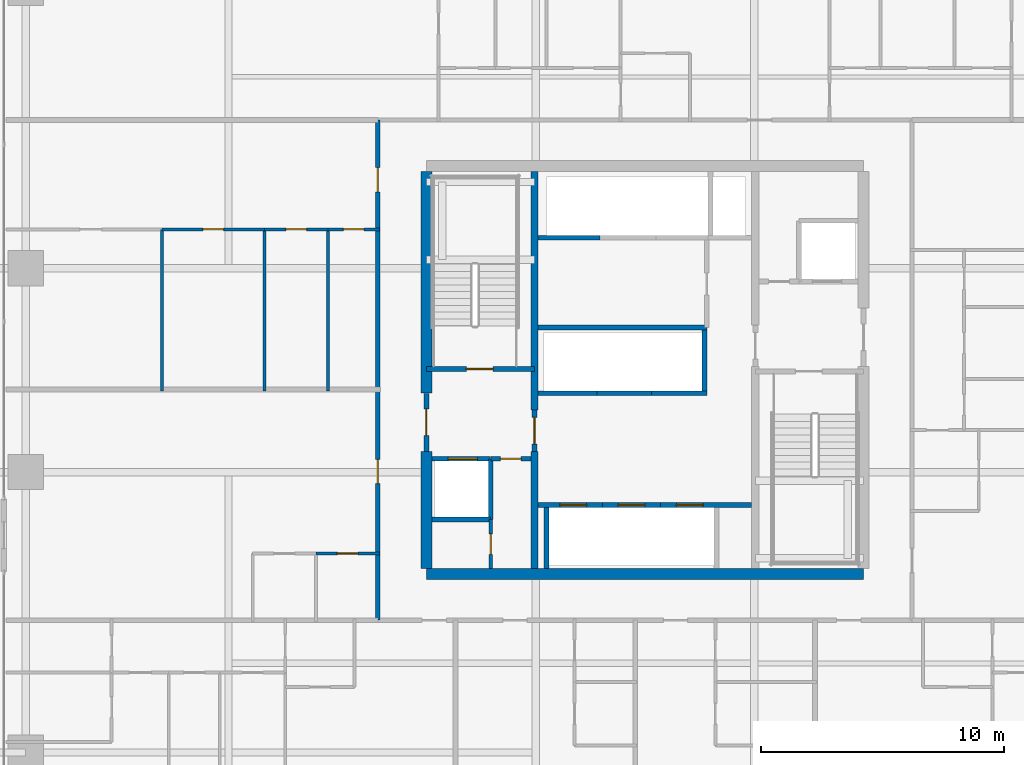
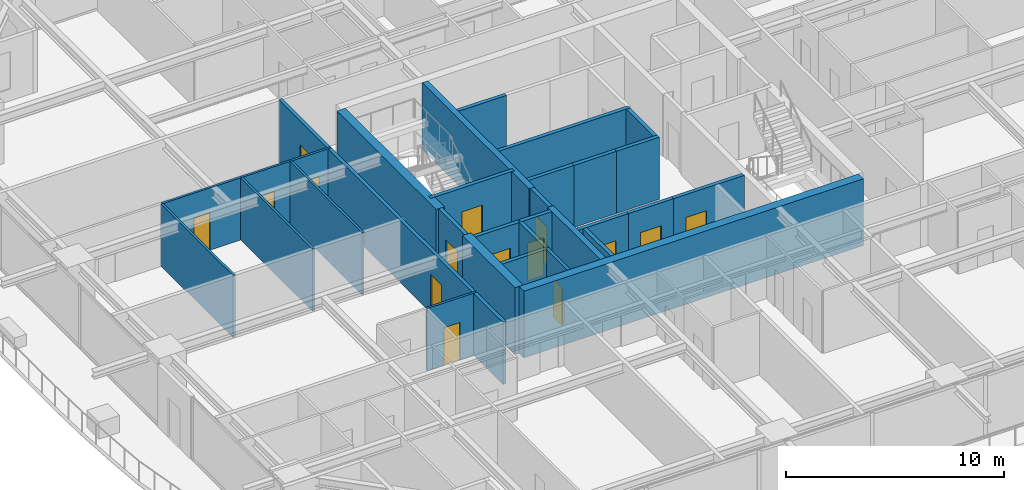
# One storey, part 24 of 36: 31 walls, 15 doors, 15 openings.
"""IFC4 building model written with IfcOpenShell, lengths in metres."""

import ifcopenshell
import ifcopenshell.guid

model = None  # the IFC model being written
_history = None  # IfcOwnerHistory: only IFC2X3 demands one
_inside = {}  # id of a spatial element -> (the spatial element, [elements in it])
_under = {}  # id of a project, library or spatial element -> (it, [spatial elements below it])
_declared = {}  # id of a project -> (the project, [libraries it declares])
_typed = {}  # id of a type object -> (the type object, [elements of that type])
_made_of = {}  # id of a material, layer set ... -> (it, [elements and type objects made of it])


def new_model(schema):
    """Start an empty IFC model of exactly this schema.

    Asked for "IFC4X3", IfcOpenShell would pick the latest addendum, in which some entities
    have other attributes; the version numbers below select the first issue.
    IFC2X3 requires an IfcOwnerHistory on every rooted entity: one is made here for all.
    """
    global model, _history
    if schema == "IFC4X3":
        model = ifcopenshell.file(schema_version=(4, 3, 0, 0))
    else:
        model = ifcopenshell.file(schema=schema)
    _inside.clear()
    _under.clear()
    _declared.clear()
    _typed.clear()
    _made_of.clear()
    _history = None
    if model.schema == "IFC2X3":
        org = make("IfcOrganization", Name="unknown")
        user = make(
            "IfcPersonAndOrganization",
            ThePerson=make("IfcPerson", FamilyName="unknown"),
            TheOrganization=org,
        )
        app = make(
            "IfcApplication",
            ApplicationDeveloper=org,
            Version="unknown",
            ApplicationFullName="unknown",
            ApplicationIdentifier="unknown",
        )
        _history = make(
            "IfcOwnerHistory",
            OwningUser=user,
            OwningApplication=app,
            ChangeAction="ADDED",
            CreationDate=0,
        )
    return model


def make(cls, **values):
    """One entity of the class cls with the attributes given. An attribute that is None is left unset."""
    return model.create_entity(
        cls, **{name: value for name, value in values.items() if value is not None}
    )


def rooted(cls, **values):
    """An entity with a GlobalId (a new one), such as an element, a storey or a relation."""
    return make(cls, GlobalId=ifcopenshell.guid.new(), OwnerHistory=_history, **values)


def si_unit(unit_type, name, prefix=None):
    """IfcSIUnit, for example si_unit("LENGTHUNIT", "METRE", prefix="MILLI")."""
    return make("IfcSIUnit", UnitType=unit_type, Prefix=prefix, Name=name)


def assignment(units):
    """IfcUnitAssignment: the units of a project."""
    return None if units is None else make("IfcUnitAssignment", Units=units)


def point(xyz):
    """IfcCartesianPoint."""
    return None if xyz is None else make("IfcCartesianPoint", Coordinates=xyz)


def direction(xyz):
    """IfcDirection."""
    return None if xyz is None else make("IfcDirection", DirectionRatios=xyz)


def frame(location, z_axis=None, x_axis=None):
    """IfcAxis2Placement3D, a coordinate frame: its origin and axes. An axis left out is left unset."""
    return make(
        "IfcAxis2Placement3D",
        Location=point(location),
        Axis=direction(z_axis),
        RefDirection=direction(x_axis),
    )


def frame_2d(location, x_axis=None):
    """IfcAxis2Placement2D, a coordinate frame in the plane: its origin and x axis."""
    return make(
        "IfcAxis2Placement2D", Location=point(location), RefDirection=direction(x_axis)
    )


def origin():
    """The frame at (0, 0, 0) with its axes left unset."""
    return frame((0.0, 0.0, 0.0))


def place(relative_to, where):
    """IfcLocalPlacement: puts the frame where relative to a parent placement (None: the world)."""
    return make(
        "IfcLocalPlacement", PlacementRelTo=relative_to, RelativePlacement=where
    )


def context(
    kind, dimensions, precision=None, world=None, true_north=None, identifier=None
):
    """IfcGeometricRepresentationContext, for example the 3D "Model" context."""
    return make(
        "IfcGeometricRepresentationContext",
        ContextIdentifier=identifier,
        ContextType=kind,
        CoordinateSpaceDimension=dimensions,
        Precision=precision,
        WorldCoordinateSystem=world,
        TrueNorth=true_north,
    )


def subcontext(parent, identifier, kind, view, scale=None):
    """IfcGeometricRepresentationSubContext, for example "Body" below "Model"."""
    return make(
        "IfcGeometricRepresentationSubContext",
        ContextIdentifier=identifier,
        ContextType=kind,
        ParentContext=parent,
        TargetScale=scale,
        TargetView=view,
    )


def project(units=None, contexts=None):
    """IfcProject with its units and contexts."""
    return rooted(
        "IfcProject",
        Name="project",
        RepresentationContexts=contexts,
        UnitsInContext=assignment(units),
    )


def spatial(cls, under=None, at=None, **own):
    """A site, building, storey or space (cls), placed at a placement, below another one or the project."""
    s = rooted(cls, ObjectPlacement=at, **own)
    if under is not None:
        _under.setdefault(under.id(), (under, []))[1].append(s)
    return s


def profile(cls, at=None, kind="AREA", **sizes):
    """A parametric profile (cls). Its sizes go by their IFC names, for example OverallWidth=200.0."""
    return make(cls, ProfileType=kind, Position=at, **sizes)


def rectangle(**sizes):
    """IfcRectangleProfileDef."""
    return profile("IfcRectangleProfileDef", **sizes)


def extrude(swept, where, along, depth):
    """IfcExtrudedAreaSolid: the profile swept, set in the frame where, extruded along a direction by depth."""
    return make(
        "IfcExtrudedAreaSolid",
        SweptArea=swept,
        Position=where,
        ExtrudedDirection=direction(along),
        Depth=depth,
    )


def shape(context_of_items, identifier, shape_type, items):
    """IfcShapeRepresentation: the items that make up one representation, for example the "Body"."""
    return make(
        "IfcShapeRepresentation",
        ContextOfItems=context_of_items,
        RepresentationIdentifier=identifier,
        RepresentationType=shape_type,
        Items=items,
    )


def source(mapping_origin, context_of_items, identifier, shape_type, items):
    """IfcRepresentationMap: a shape defined once, which mapped items show again and again."""
    return make(
        "IfcRepresentationMap",
        MappingOrigin=mapping_origin,
        MappedRepresentation=shape(context_of_items, identifier, shape_type, items),
    )


def transform(
    local_origin,
    x_axis=None,
    y_axis=None,
    z_axis=None,
    scale=None,
    scale2=None,
    scale3=None,
    uniform=True,
):
    """IfcCartesianTransformationOperator3D, or its non-uniform kind. x_axis, y_axis, z_axis: its Axis1, 2, 3."""
    if uniform:
        return make(
            "IfcCartesianTransformationOperator3D",
            Axis1=direction(x_axis),
            Axis2=direction(y_axis),
            LocalOrigin=point(local_origin),
            Scale=scale,
            Axis3=direction(z_axis),
        )
    return make(
        "IfcCartesianTransformationOperator3DnonUniform",
        Axis1=direction(x_axis),
        Axis2=direction(y_axis),
        LocalOrigin=point(local_origin),
        Scale=scale,
        Axis3=direction(z_axis),
        Scale2=scale2,
        Scale3=scale3,
    )


def mapped(mapping_source, mapping_target):
    """IfcMappedItem: shows the shape of a source again, moved by a transform."""
    return make(
        "IfcMappedItem", MappingSource=mapping_source, MappingTarget=mapping_target
    )


def material(Name=None, Category=None):
    """IfcMaterial."""
    return make("IfcMaterial", Name=Name, Category=Category)


def layer(
    of_material, thickness, ventilated=None, Name=None, Category=None, Priority=None
):
    """IfcMaterialLayer: one layer of a wall or slab, of a material (None: an air gap)."""
    return make(
        "IfcMaterialLayer",
        Material=of_material,
        LayerThickness=thickness,
        IsVentilated=ventilated,
        Name=Name,
        Category=Category,
        Priority=Priority,
    )


def layer_set(layers, Name=None):
    """IfcMaterialLayerSet."""
    return make("IfcMaterialLayerSet", MaterialLayers=layers, LayerSetName=Name)


def made_of(thing, what):
    """Note that an element or type object is made of a material, layer set ...; save() writes the relation."""
    if what is not None:
        _made_of.setdefault(what.id(), (what, []))[1].append(thing)
    return thing


def type_object(cls, material=None, **own):
    """A type object (cls), such as IfcWallType, which elements share."""
    return made_of(rooted(cls, **own), material)


def element(
    cls,
    number,
    at=None,
    inside=None,
    cuts=None,
    type_object=None,
    material=None,
    context=None,
    identifier="Body",
    shape_type=None,
    held_by="IfcProductDefinitionShape",
    body=None,
    shapes=None,
    **own,
):
    """One element of the class cls, such as IfcWall. Its Tag is "e" and its number.

    at: its placement. inside: the storey or other place that contains it. cuts: it is an
    opening in that element (IfcRelVoidsElement). A single representation is given by context,
    identifier, shape_type and body (its items); several are given by shapes. held_by: the class
    of the entity that holds the representations. save() writes the other relations.
    """
    e = rooted(cls, Tag="e%d" % number, ObjectPlacement=at, **own)
    if body is not None:
        shapes = [shape(context, identifier, shape_type, body)]
    if shapes is not None:
        e.Representation = make(held_by, Representations=shapes)
    if inside is not None:
        _inside.setdefault(inside.id(), (inside, []))[1].append(e)
    if cuts is not None:
        rooted(
            "IfcRelVoidsElement", RelatingBuildingElement=cuts, RelatedOpeningElement=e
        )
    if type_object is not None:
        _typed.setdefault(type_object.id(), (type_object, []))[1].append(e)
    return made_of(e, material)


def fill(opening, filler):
    """IfcRelFillsElement: the door or window that sits in an opening."""
    return rooted(
        "IfcRelFillsElement",
        RelatingOpeningElement=opening,
        RelatedBuildingElement=filler,
    )


def aggregate(whole, parts):
    """IfcRelAggregates: a whole, such as a stair, and the parts it consists of."""
    return rooted("IfcRelAggregates", RelatingObject=whole, RelatedObjects=parts)


def save(model, path):
    """Write the relations noted so far, then the file.

    IfcRelAggregates (storeys below a building ...), IfcRelContainedInSpatialStructure (elements
    in a storey), IfcRelDefinesByType, IfcRelAssociatesMaterial and IfcRelDeclares: one each for
    every whole, place, type object, material and project.
    """
    for whole, parts in _under.values():
        aggregate(whole, parts)
    for where, things in _inside.values():
        rooted(
            "IfcRelContainedInSpatialStructure",
            RelatedElements=things,
            RelatingStructure=where,
        )
    for kind, things in _typed.values():
        rooted("IfcRelDefinesByType", RelatedObjects=things, RelatingType=kind)
    for what, things in _made_of.values():
        rooted("IfcRelAssociatesMaterial", RelatedObjects=things, RelatingMaterial=what)
    for by, libraries in _declared.values():
        rooted("IfcRelDeclares", RelatingContext=by, RelatedDefinitions=libraries)
    model.write(path)


model = new_model("IFC4")

# Units and contexts
model_context = context("Model", 3, precision=1e-05, world=origin(), true_north=direction((0.0, 1.0)))
body_context = subcontext(model_context, "Body", "Model", "MODEL_VIEW")
ifc_project = project(units=[si_unit("LENGTHUNIT", "METRE"), si_unit("AREAUNIT", "SQUARE_METRE"), si_unit("VOLUMEUNIT", "CUBIC_METRE"), si_unit("PLANEANGLEUNIT", "RADIAN"), si_unit("MASSUNIT", "GRAM", prefix="KILO")], contexts=[model_context])

# Site, building, storey
site_placement = place(None, origin())
site = spatial("IfcSite", under=ifc_project, at=site_placement, CompositionType="ELEMENT")
building_placement = place(site_placement, origin())
building = spatial("IfcBuilding", under=site, at=building_placement, Name="Serunith Strait Residences", CompositionType="ELEMENT")
storey_placement = place(building_placement, frame((0.0, 0.0, 86.699951171875)))
storey = spatial("IfcBuildingStorey", under=building, at=storey_placement, Name="L21", CompositionType="ELEMENT", Elevation=86.699951171875)

# Wall, opening, door
ifc_material_1 = material(Name="Fire-rated masonry service closet wall", Category="masonry")
ifc_layer_1 = layer(ifc_material_1, 0.14990234375, Name="Fire-rated masonry service closet wall")
ifc_layer_set_1 = layer_set([ifc_layer_1], Name="Fire-rated masonry service closet wall")
wall_type_1 = type_object("IfcWallType", Name="IW-BOH-150", PredefinedType="PARTITIONING", material=ifc_layer_set_1)
wall_1_placement = place(storey_placement, frame((26.050048828125, 17.02490234375, 0.0), z_axis=(0.0, 0.0, 1.0), x_axis=(0.0, 1.0, 0.0)))
wall_1 = element("IfcWall", 1, at=wall_1_placement, inside=storey, type_object=wall_type_1, Name="L21 Partition Wall 012", PredefinedType="PARTITIONING", context=body_context, shape_type="SweptSolid", body=[
    extrude(rectangle(XDim=2.023193359375, YDim=0.14990234375, at=frame_2d((1.01171875, 0.0))), origin(), (0.0, 0.0, 1.0), 3.489990234375),
])
opening_1_placement = place(wall_1_placement, frame((0.5859375, 0.0, 0.0)))
opening_1 = element("IfcOpeningElement", 2, at=opening_1_placement, cuts=wall_1, Name="Opening FD-850", PredefinedType="OPENING", context=body_context, shape_type="SweptSolid", body=[
    extrude(rectangle(XDim=0.85009765625, YDim=2.10009765625, at=frame_2d((0.425048828125, 1.050048828125))), frame((0.0, 0.0849609375, 0.0), z_axis=(0.0, -1.0, 0.0), x_axis=(1.0, 0.0, 0.0)), (0.0, 0.0, 1.0), 0.169921875),
])
ifc_material_2 = material(Name="Powder-coated steel service closet door", Category="steel")
door_type_1 = type_object("IfcDoorType", Name="FD-BOH-850", OperationType="NOTDEFINED", PredefinedType="DOOR", material=ifc_material_2)
shared_shape_1 = source(origin(), body_context, "Body", "SweptSolid", [
    extrude(rectangle(XDim=0.85009765625, YDim=2.10009765625, at=frame_2d((0.425048828125, 1.050048828125))), frame((0.0, 0.02490234375, 0.0), z_axis=(0.0, -1.0, 0.0), x_axis=(1.0, 0.0, 0.0)), (0.0, 0.0, 1.0), 0.050048828125),
])
door_1_placement = place(opening_1_placement, origin())
door_1 = element("IfcDoor", 3, at=door_1_placement, inside=storey, type_object=door_type_1, Name="L21 Cleaner Store Door", OperationType="SINGLE_SWING_LEFT", OverallHeight=2.10009765625, OverallWidth=0.85009765625, PredefinedType="DOOR", context=body_context, shape_type="MappedRepresentation", body=[
    mapped(shared_shape_1, transform((0.0, 0.0, 0.0), scale=1.0)),
])
fill(opening_1, door_1)

# Wall, openings, doors
ifc_material_3 = material(Name="Fire-rated acoustic gypsum partition")
ifc_layer_2 = layer(ifc_material_3, 0.179931640625, Name="Fire-rated acoustic gypsum partition")
ifc_layer_set_2 = layer_set([ifc_layer_2], Name="Fire-rated acoustic gypsum partition")
wall_type_2 = type_object("IfcWallType", Name="IW-CORR-180", PredefinedType="PARTITIONING", material=ifc_layer_set_2)
wall_2_placement = place(storey_placement, frame((21.39990234375, 14.89990234375, 0.0), z_axis=(0.0, 0.0, 1.0), x_axis=(0.0, 1.0, 0.0)))
wall_2 = element("IfcWall", 4, at=wall_2_placement, inside=storey, type_object=wall_type_2, Name="L21 Partition Wall 024", PredefinedType="PARTITIONING", context=body_context, shape_type="SweptSolid", body=[
    extrude(rectangle(XDim=20.60009765625, YDim=0.179931640625, at=frame_2d((10.300048828125, 0.0))), origin(), (0.0, 0.0, 1.0), 3.489990234375),
])
opening_2_placement = place(wall_2_placement, frame((5.625, 0.0, 0.0)))
opening_2 = element("IfcOpeningElement", 5, at=opening_2_placement, cuts=wall_2, Name="Opening D-APT1000", PredefinedType="OPENING", context=body_context, shape_type="SweptSolid", body=[
    extrude(rectangle(XDim=1.0, YDim=2.14990234375, at=frame_2d((0.5, 1.074951171875))), frame((0.0, 0.10009765625, 0.0), z_axis=(0.0, -1.0, 0.0), x_axis=(1.0, 0.0, 0.0)), (0.0, 0.0, 1.0), 0.199951171875),
])
opening_3_placement = place(wall_2_placement, frame((17.639892578125, 0.0, 0.0)))
opening_3 = element("IfcOpeningElement", 6, at=opening_3_placement, cuts=wall_2, Name="Opening D-APT1000", PredefinedType="OPENING", context=body_context, shape_type="SweptSolid", body=[
    extrude(rectangle(XDim=1.0, YDim=2.14990234375, at=frame_2d((0.5, 1.074951171875))), frame((0.0, 0.10009765625, 0.0), z_axis=(0.0, -1.0, 0.0), x_axis=(1.0, 0.0, 0.0)), (0.0, 0.0, 1.0), 0.199951171875),
])
ifc_material_4 = material(Name="Solid timber engineered fire door", Category="wood")
door_type_2 = type_object("IfcDoorType", Name="ID-APT-1000", OperationType="NOTDEFINED", PredefinedType="DOOR", material=ifc_material_4)
shared_shape_2 = source(origin(), body_context, "Body", "SweptSolid", [
    extrude(rectangle(XDim=1.0, YDim=2.14990234375, at=frame_2d((0.5, 1.074951171875))), frame((0.0, 0.02490234375, 0.0), z_axis=(0.0, -1.0, 0.0), x_axis=(1.0, 0.0, 0.0)), (0.0, 0.0, 1.0), 0.050048828125),
])
door_2_placement = place(opening_2_placement, origin())
door_2 = element("IfcDoor", 7, at=door_2_placement, inside=storey, type_object=door_type_2, Name="L21 Unit 06 Entrance Door", OperationType="SINGLE_SWING_RIGHT", OverallHeight=2.14990234375, OverallWidth=1.0, PredefinedType="DOOR", context=body_context, shape_type="MappedRepresentation", body=[
    mapped(shared_shape_2, transform((0.0, 0.0, 0.0), scale=1.0)),
])
fill(opening_2, door_2)
door_3_placement = place(opening_3_placement, origin())
door_3 = element("IfcDoor", 8, at=door_3_placement, inside=storey, type_object=door_type_2, Name="L21 Unit 07 Entrance Door", OperationType="SINGLE_SWING_LEFT", OverallHeight=2.14990234375, OverallWidth=1.0, PredefinedType="DOOR", context=body_context, shape_type="MappedRepresentation", body=[
    mapped(shared_shape_2, transform((0.0, 0.0, 0.0), scale=1.0)),
])
fill(opening_3, door_3)

# Wall, opening, door
ifc_material_5 = material(Name="Lightweight steel-stud gypsum partition", Category="steel")
ifc_layer_3 = layer(ifc_material_5, 0.1201171875, Name="Lightweight steel-stud gypsum partition")
ifc_layer_set_3 = layer_set([ifc_layer_3], Name="Lightweight steel-stud gypsum partition")
wall_type_3 = type_object("IfcWallType", Name="IW-PART-120", PredefinedType="PARTITIONING", material=ifc_layer_set_3)
wall_3_placement = place(storey_placement, frame((18.85205078125, 17.64990234375, 0.0), z_axis=(0.0, 0.0, 1.0), x_axis=(1.0, 0.0, 0.0)))
wall_3 = element("IfcWall", 9, at=wall_3_placement, inside=storey, type_object=wall_type_3, Name="L21 Partition Wall 097", PredefinedType="PARTITIONING", context=body_context, shape_type="SweptSolid", body=[
    extrude(rectangle(XDim=2.60791015625, YDim=0.1201171875, at=frame_2d((1.303955078125, 0.0))), origin(), (0.0, 0.0, 1.0), 3.489990234375),
])
opening_4_placement = place(wall_3_placement, frame((0.87890625, 0.0, 0.0)))
opening_4 = element("IfcOpeningElement", 10, at=opening_4_placement, cuts=wall_3, Name="Opening D-BTH850", PredefinedType="OPENING", context=body_context, shape_type="SweptSolid", body=[
    extrude(rectangle(XDim=0.85009765625, YDim=2.10009765625, at=frame_2d((0.425048828125, 1.050048828125))), frame((0.0, 0.070068359375, 0.0), z_axis=(0.0, -1.0, 0.0), x_axis=(1.0, 0.0, 0.0)), (0.0, 0.0, 1.0), 0.14013671875),
])
ifc_material_6 = material(Name="Moisture-resistant timber bathroom door", Category="wood")
door_type_3 = type_object("IfcDoorType", Name="ID-BATH-850", OperationType="NOTDEFINED", PredefinedType="DOOR", material=ifc_material_6)
door_4_placement = place(opening_4_placement, origin())
door_4 = element("IfcDoor", 11, at=door_4_placement, inside=storey, type_object=door_type_3, Name="L21 Bathroom 2106 Door", OperationType="SINGLE_SWING_LEFT", OverallHeight=2.10009765625, OverallWidth=0.85009765625, PredefinedType="DOOR", context=body_context, shape_type="MappedRepresentation", body=[
    mapped(shared_shape_1, transform((0.0, 0.0, 0.0), scale=1.0)),
])
fill(opening_4, door_4)

# Walls
for number, where, z_axis, x_axis, name in (
    (12, (12.513916015625, 24.340087890625, 0.0), (0.0, 0.0, 1.0), (0.0, 1.0, 0.0), "L21 Partition Wall 101"),
    (13, (16.72900390625, 24.340087890625, 0.0), (0.0, 0.0, 1.0), (0.0, 1.0, 0.0), "L21 Partition Wall 102"),
    (14, (19.35009765625, 24.340087890625, 0.0), (0.0, 0.0, 1.0), (0.0, 1.0, 0.0), "L21 Partition Wall 103"),
):
    element("IfcWall", number, at=place(storey_placement, frame(where, z_axis=z_axis, x_axis=x_axis)), inside=storey, type_object=wall_type_3, Name=name, PredefinedType="PARTITIONING", context=body_context, shape_type="SweptSolid", body=[
        extrude(rectangle(XDim=6.659912109375, YDim=0.1201171875, at=frame_2d((3.330078125, 0.0))), origin(), (0.0, 0.0, 1.0), 3.489990234375),
    ])

# Wall, opening, door
wall_4_placement = place(storey_placement, frame((12.51611328125, 31.0, 0.0), z_axis=(0.0, 0.0, 1.0), x_axis=(1.0, 0.0, 0.0)))
wall_4 = element("IfcWall", 15, at=wall_4_placement, inside=storey, type_object=wall_type_3, Name="L21 Partition Wall 104", PredefinedType="PARTITIONING", context=body_context, shape_type="SweptSolid", body=[
    extrude(rectangle(XDim=4.212890625, YDim=0.1201171875, at=frame_2d((2.1064453125, 0.0))), origin(), (0.0, 0.0, 1.0), 3.489990234375),
])
opening_5_placement = place(wall_4_placement, frame((1.680908203125, 0.0, 0.0)))
opening_5 = element("IfcOpeningElement", 16, at=opening_5_placement, cuts=wall_4, Name="Opening D-RM850", PredefinedType="OPENING", context=body_context, shape_type="SweptSolid", body=[
    extrude(rectangle(XDim=0.85009765625, YDim=2.10009765625, at=frame_2d((0.425048828125, 1.050048828125))), frame((0.0, 0.070068359375, 0.0), z_axis=(0.0, -1.0, 0.0), x_axis=(1.0, 0.0, 0.0)), (0.0, 0.0, 1.0), 0.14013671875),
])
ifc_material_7 = material(Name="Engineered timber flush study and kitchen door", Category="wood")
door_type_4 = type_object("IfcDoorType", Name="ID-ROOM-850", OperationType="NOTDEFINED", PredefinedType="DOOR", material=ifc_material_7)
door_5_placement = place(opening_5_placement, origin())
door_5 = element("IfcDoor", 17, at=door_5_placement, inside=storey, type_object=door_type_4, Name="L21 Dining 2107 Door", OperationType="SINGLE_SWING_LEFT", OverallHeight=2.10009765625, OverallWidth=0.85009765625, PredefinedType="DOOR", context=body_context, shape_type="MappedRepresentation", body=[
    mapped(shared_shape_1, transform((0.0, 0.0, 0.0), scale=1.0)),
])
fill(opening_5, door_5)

wall_5_placement = place(storey_placement, frame((16.73095703125, 31.0, 0.0), z_axis=(0.0, 0.0, 1.0), x_axis=(1.0, 0.0, 0.0)))
wall_5 = element("IfcWall", 18, at=wall_5_placement, inside=storey, type_object=wall_type_3, Name="L21 Partition Wall 105", PredefinedType="PARTITIONING", context=body_context, shape_type="SweptSolid", body=[
    extrude(rectangle(XDim=2.619140625, YDim=0.1201171875, at=frame_2d((1.3095703125, 0.0))), origin(), (0.0, 0.0, 1.0), 3.489990234375),
])
opening_6_placement = place(wall_5_placement, frame((0.884033203125, 0.0, 0.0)))
opening_6 = element("IfcOpeningElement", 19, at=opening_6_placement, cuts=wall_5, Name="Opening D-RM850", PredefinedType="OPENING", context=body_context, shape_type="SweptSolid", body=[
    extrude(rectangle(XDim=0.85009765625, YDim=2.10009765625, at=frame_2d((0.425048828125, 1.050048828125))), frame((0.0, 0.070068359375, 0.0), z_axis=(0.0, -1.0, 0.0), x_axis=(1.0, 0.0, 0.0)), (0.0, 0.0, 1.0), 0.14013671875),
])
door_6_placement = place(opening_6_placement, origin())
door_6 = element("IfcDoor", 20, at=door_6_placement, inside=storey, type_object=door_type_4, Name="L21 Kitchen 2107 Door", OperationType="SINGLE_SWING_RIGHT", OverallHeight=2.10009765625, OverallWidth=0.85009765625, PredefinedType="DOOR", context=body_context, shape_type="MappedRepresentation", body=[
    mapped(shared_shape_1, transform((0.0, 0.0, 0.0), scale=1.0)),
])
fill(opening_6, door_6)

wall_6_placement = place(storey_placement, frame((19.35205078125, 31.0, 0.0), z_axis=(0.0, 0.0, 1.0), x_axis=(1.0, 0.0, 0.0)))
wall_6 = element("IfcWall", 21, at=wall_6_placement, inside=storey, type_object=wall_type_3, Name="L21 Partition Wall 106", PredefinedType="PARTITIONING", context=body_context, shape_type="SweptSolid", body=[
    extrude(rectangle(XDim=2.10791015625, YDim=0.1201171875, at=frame_2d((1.053955078125, 0.0))), origin(), (0.0, 0.0, 1.0), 3.489990234375),
])
opening_7_placement = place(wall_6_placement, frame((0.62890625, 0.0, 0.0)))
opening_7 = element("IfcOpeningElement", 22, at=opening_7_placement, cuts=wall_6, Name="Opening D-BTH850", PredefinedType="OPENING", context=body_context, shape_type="SweptSolid", body=[
    extrude(rectangle(XDim=0.85009765625, YDim=2.10009765625, at=frame_2d((0.425048828125, 1.050048828125))), frame((0.0, 0.070068359375, 0.0), z_axis=(0.0, -1.0, 0.0), x_axis=(1.0, 0.0, 0.0)), (0.0, 0.0, 1.0), 0.14013671875),
])
door_7_placement = place(opening_7_placement, origin())
door_7 = element("IfcDoor", 23, at=door_7_placement, inside=storey, type_object=door_type_3, Name="L21 Bathroom 2107 Door", OperationType="SINGLE_SWING_LEFT", OverallHeight=2.10009765625, OverallWidth=0.85009765625, PredefinedType="DOOR", context=body_context, shape_type="MappedRepresentation", body=[
    mapped(shared_shape_1, transform((0.0, 0.0, 0.0), scale=1.0)),
])
fill(opening_7, door_7)

ifc_material_8 = material(Name="Autoclaved aerated concrete blockwork", Category="masonry")
ifc_layer_4 = layer(ifc_material_8, 0.199951171875, Name="Autoclaved aerated concrete blockwork")
ifc_layer_set_4 = layer_set([ifc_layer_4], Name="Autoclaved aerated concrete blockwork")
wall_type_4 = type_object("IfcWallType", Name="IW-SHAFT-200", PredefinedType="STANDARD", material=ifc_layer_set_4)
wall_7_placement = place(storey_placement, frame((23.39990234375, 25.25, 0.0), z_axis=(0.0, 0.0, 1.0), x_axis=(1.0, 0.0, 0.0)))
wall_7 = element("IfcWall", 24, at=wall_7_placement, inside=storey, type_object=wall_type_4, Name="L21 ST-1 South Shaft Wall", PredefinedType="STANDARD", context=body_context, shape_type="SweptSolid", body=[
    extrude(rectangle(XDim=4.4501953125, YDim=0.199951171875, at=frame_2d((2.22509765625, 0.0))), origin(), (0.0, 0.0, 1.0), 3.489990234375),
])
opening_8_placement = place(wall_7_placement, frame((1.64990234375, 0.0, 0.0)))
opening_8 = element("IfcOpeningElement", 25, at=opening_8_placement, cuts=wall_7, Name="Opening FD-1100", PredefinedType="OPENING", context=body_context, shape_type="SweptSolid", body=[
    extrude(rectangle(XDim=1.10009765625, YDim=2.14990234375, at=frame_2d((0.550048828125, 1.074951171875))), frame((0.0, 0.10986328125, 0.0), z_axis=(0.0, -1.0, 0.0), x_axis=(1.0, 0.0, 0.0)), (0.0, 0.0, 1.0), 0.219970703125),
])
ifc_material_9 = material(Name="Galvanised steel fire door leaf", Category="steel")
door_type_5 = type_object("IfcDoorType", Name="FD-STAIR-1100", OperationType="NOTDEFINED", PredefinedType="DOOR", material=ifc_material_9)
shared_shape_3 = source(origin(), body_context, "Body", "SweptSolid", [
    extrude(rectangle(XDim=1.10009765625, YDim=2.14990234375, at=frame_2d((0.550048828125, 1.074951171875))), frame((0.0, 0.02490234375, 0.0), z_axis=(0.0, -1.0, 0.0), x_axis=(1.0, 0.0, 0.0)), (0.0, 0.0, 1.0), 0.050048828125),
])
door_8_placement = place(opening_8_placement, origin())
door_8 = element("IfcDoor", 26, at=door_8_placement, inside=storey, type_object=door_type_5, Name="L21 ST-1 Escape Stair Door", OperationType="SINGLE_SWING_LEFT", OverallHeight=2.14990234375, OverallWidth=1.10009765625, PredefinedType="DOOR", context=body_context, shape_type="MappedRepresentation", body=[
    mapped(shared_shape_3, transform((0.0, 0.0, 0.0), scale=1.0)),
])
fill(opening_8, door_8)

wall_8_placement = place(storey_placement, frame((23.625, 21.550048828125, 0.0), z_axis=(0.0, 0.0, 1.0), x_axis=(1.0, 0.0, 0.0)))
wall_8 = element("IfcWall", 27, at=wall_8_placement, inside=storey, type_object=wall_type_4, Name="L21 FL-1 North Shaft Wall", PredefinedType="STANDARD", context=body_context, shape_type="SweptSolid", body=[
    extrude(rectangle(XDim=2.425048828125, YDim=0.199951171875, at=frame_2d((1.21240234375, 0.0))), origin(), (0.0, 0.0, 1.0), 3.489990234375),
])
opening_9_placement = place(wall_8_placement, frame((0.675048828125, 0.0, 0.0)))
opening_9 = element("IfcOpeningElement", 28, at=opening_9_placement, cuts=wall_8, Name="Opening LD-FF1200", PredefinedType="OPENING", context=body_context, shape_type="SweptSolid", body=[
    extrude(rectangle(XDim=1.199951171875, YDim=2.199951171875, at=frame_2d((0.60009765625, 1.10009765625))), frame((0.0, 0.10986328125, 0.0), z_axis=(0.0, -1.0, 0.0), x_axis=(1.0, 0.0, 0.0)), (0.0, 0.0, 1.0), 0.219970703125),
])
ifc_material_10 = material(Name="Brushed stainless steel landing door", Category="steel")
door_type_6 = type_object("IfcDoorType", Name="LD-FF-1200", OperationType="DOUBLE_DOOR_SLIDING", PredefinedType="DOOR", material=ifc_material_10)
shared_shape_4 = source(origin(), body_context, "Body", "SweptSolid", [
    extrude(rectangle(XDim=1.199951171875, YDim=2.199951171875, at=frame_2d((0.60009765625, 1.10009765625))), frame((0.0, 0.02490234375, 0.0), z_axis=(0.0, -1.0, 0.0), x_axis=(1.0, 0.0, 0.0)), (0.0, 0.0, 1.0), 0.050048828125),
])
door_9_placement = place(opening_9_placement, origin())
door_9 = element("IfcDoor", 29, at=door_9_placement, inside=storey, type_object=door_type_6, Name="L21 FL-1 Landing Door", OperationType="DOUBLE_DOOR_SLIDING", OverallHeight=2.199951171875, OverallWidth=1.199951171875, PredefinedType="DOOR", context=body_context, shape_type="MappedRepresentation", body=[
    mapped(shared_shape_4, transform((0.0, 0.0, 0.0), scale=1.0)),
])
fill(opening_9, door_9)

wall_9_placement = place(storey_placement, frame((28.0, 19.64990234375, 0.0), z_axis=(0.0, 0.0, 1.0), x_axis=(1.0, 0.0, 0.0)))
wall_9 = element("IfcWall", 30, at=wall_9_placement, inside=storey, type_object=wall_type_4, Name="L21 PL-1 North Shaft Wall", PredefinedType="STANDARD", context=body_context, shape_type="SweptSolid", body=[
    extrude(rectangle(XDim=2.64990234375, YDim=0.199951171875, at=frame_2d((1.324951171875, 0.0))), origin(), (0.0, 0.0, 1.0), 3.489990234375),
])
opening_10_placement = place(wall_9_placement, frame((0.89990234375, 0.0, 0.0)))
opening_10 = element("IfcOpeningElement", 31, at=opening_10_placement, cuts=wall_9, Name="Opening LD-1100", PredefinedType="OPENING", context=body_context, shape_type="SweptSolid", body=[
    extrude(rectangle(XDim=1.10009765625, YDim=2.199951171875, at=frame_2d((0.550048828125, 1.10009765625))), frame((0.0, 0.10986328125, 0.0), z_axis=(0.0, -1.0, 0.0), x_axis=(1.0, 0.0, 0.0)), (0.0, 0.0, 1.0), 0.219970703125),
])
ifc_material_11 = material(Name="Pale-champagne stainless landing door")
door_type_7 = type_object("IfcDoorType", Name="LD-LIFT-1100", OperationType="DOUBLE_DOOR_SLIDING", PredefinedType="DOOR", material=ifc_material_11)
shared_shape_5 = source(origin(), body_context, "Body", "SweptSolid", [
    extrude(rectangle(XDim=1.10009765625, YDim=2.199951171875, at=frame_2d((0.550048828125, 1.10009765625))), frame((0.0, 0.02490234375, 0.0), z_axis=(0.0, -1.0, 0.0), x_axis=(1.0, 0.0, 0.0)), (0.0, 0.0, 1.0), 0.050048828125),
])
door_10_placement = place(opening_10_placement, origin())
door_10 = element("IfcDoor", 32, at=door_10_placement, inside=storey, type_object=door_type_7, Name="L21 PL-1 Landing Door", OperationType="DOUBLE_DOOR_SLIDING", OverallHeight=2.199951171875, OverallWidth=1.10009765625, PredefinedType="DOOR", context=body_context, shape_type="MappedRepresentation", body=[
    mapped(shared_shape_5, transform((0.0, 0.0, 0.0), scale=1.0)),
])
fill(opening_10, door_10)

# Wall
wall_10_placement = place(storey_placement, frame((28.35009765625, 17.02490234375, 0.0), z_axis=(0.0, 0.0, 1.0), x_axis=(0.0, 1.0, 0.0)))
element("IfcWall", 33, at=wall_10_placement, inside=storey, type_object=wall_type_4, Name="L21 PL-1 West Shaft Wall", PredefinedType="STANDARD", context=body_context, shape_type="SweptSolid", body=[
    extrude(rectangle(XDim=2.525146484375, YDim=0.199951171875, at=frame_2d((1.2626953125, 0.0))), origin(), (0.0, 0.0, 1.0), 3.489990234375),
])

# Wall, opening, door
wall_11_placement = place(storey_placement, frame((30.64990234375, 19.64990234375, 0.0), z_axis=(0.0, 0.0, 1.0), x_axis=(1.0, 0.0, 0.0)))
wall_11 = element("IfcWall", 34, at=wall_11_placement, inside=storey, type_object=wall_type_4, Name="L21 PL-2 North Shaft Wall", PredefinedType="STANDARD", context=body_context, shape_type="SweptSolid", body=[
    extrude(rectangle(XDim=2.400146484375, YDim=0.199951171875, at=frame_2d((1.2001953125, 0.0))), origin(), (0.0, 0.0, 1.0), 3.489990234375),
])
opening_11_placement = place(wall_11_placement, frame((0.64990234375, 0.0, 0.0)))
opening_11 = element("IfcOpeningElement", 35, at=opening_11_placement, cuts=wall_11, Name="Opening LD-1100", PredefinedType="OPENING", context=body_context, shape_type="SweptSolid", body=[
    extrude(rectangle(XDim=1.10009765625, YDim=2.199951171875, at=frame_2d((0.550048828125, 1.10009765625))), frame((0.0, 0.10986328125, 0.0), z_axis=(0.0, -1.0, 0.0), x_axis=(1.0, 0.0, 0.0)), (0.0, 0.0, 1.0), 0.219970703125),
])
door_11_placement = place(opening_11_placement, origin())
door_11 = element("IfcDoor", 36, at=door_11_placement, inside=storey, type_object=door_type_7, Name="L21 PL-2 Landing Door", OperationType="DOUBLE_DOOR_SLIDING", OverallHeight=2.199951171875, OverallWidth=1.10009765625, PredefinedType="DOOR", context=body_context, shape_type="MappedRepresentation", body=[
    mapped(shared_shape_5, transform((0.0, 0.0, 0.0), scale=1.0)),
])
fill(opening_11, door_11)

wall_12_placement = place(storey_placement, frame((33.050048828125, 19.64990234375, 0.0), z_axis=(0.0, 0.0, 1.0), x_axis=(1.0, 0.0, 0.0)))
wall_12 = element("IfcWall", 37, at=wall_12_placement, inside=storey, type_object=wall_type_4, Name="L21 PL-3 North Shaft Wall", PredefinedType="STANDARD", context=body_context, shape_type="SweptSolid", body=[
    extrude(rectangle(XDim=3.75, YDim=0.199951171875, at=frame_2d((1.875, 0.0))), origin(), (0.0, 0.0, 1.0), 3.489990234375),
])
opening_12_placement = place(wall_12_placement, frame((0.64990234375, 0.0, 0.0)))
opening_12 = element("IfcOpeningElement", 38, at=opening_12_placement, cuts=wall_12, Name="Opening LD-1100", PredefinedType="OPENING", context=body_context, shape_type="SweptSolid", body=[
    extrude(rectangle(XDim=1.10009765625, YDim=2.199951171875, at=frame_2d((0.550048828125, 1.10009765625))), frame((0.0, 0.10986328125, 0.0), z_axis=(0.0, -1.0, 0.0), x_axis=(1.0, 0.0, 0.0)), (0.0, 0.0, 1.0), 0.219970703125),
])
door_12_placement = place(opening_12_placement, origin())
door_12 = element("IfcDoor", 39, at=door_12_placement, inside=storey, type_object=door_type_7, Name="L21 PL-3 Landing Door", OperationType="DOUBLE_DOOR_SLIDING", OverallHeight=2.199951171875, OverallWidth=1.10009765625, PredefinedType="DOOR", context=body_context, shape_type="MappedRepresentation", body=[
    mapped(shared_shape_5, transform((0.0, 0.0, 0.0), scale=1.0)),
])
fill(opening_12, door_12)

# Walls
wall_13_placement = place(storey_placement, frame((28.0, 24.25, 0.0), z_axis=(0.0, 0.0, 1.0), x_axis=(1.0, 0.0, 0.0)))
element("IfcWall", 40, at=wall_13_placement, inside=storey, type_object=wall_type_4, Name="L21 PL-4 South Shaft Wall", PredefinedType="STANDARD", context=body_context, shape_type="SweptSolid", body=[
    extrude(rectangle(XDim=2.425048828125, YDim=0.199951171875, at=frame_2d((1.21240234375, 0.0))), origin(), (0.0, 0.0, 1.0), 3.489990234375),
])
wall_14_placement = place(storey_placement, frame((30.425048828125, 24.25, 0.0), z_axis=(0.0, 0.0, 1.0), x_axis=(1.0, 0.0, 0.0)))
element("IfcWall", 41, at=wall_14_placement, inside=storey, type_object=wall_type_4, Name="L21 PL-5 South Shaft Wall", PredefinedType="STANDARD", context=body_context, shape_type="SweptSolid", body=[
    extrude(rectangle(XDim=2.25, YDim=0.199951171875, at=frame_2d((1.125, 0.0))), origin(), (0.0, 0.0, 1.0), 3.489990234375),
])
wall_15_placement = place(storey_placement, frame((32.675048828125, 24.25, 0.0), z_axis=(0.0, 0.0, 1.0), x_axis=(1.0, 0.0, 0.0)))
element("IfcWall", 42, at=wall_15_placement, inside=storey, type_object=wall_type_4, Name="L21 PL-6 South Shaft Wall", PredefinedType="STANDARD", context=body_context, shape_type="SweptSolid", body=[
    extrude(rectangle(XDim=2.27490234375, YDim=0.199951171875, at=frame_2d((1.137451171875, 0.0))), origin(), (0.0, 0.0, 1.0), 3.489990234375),
])
wall_16_placement = place(storey_placement, frame((34.85009765625, 24.35009765625, 0.0), z_axis=(0.0, 0.0, 1.0), x_axis=(0.0, 1.0, 0.0)))
element("IfcWall", 43, at=wall_16_placement, inside=storey, type_object=wall_type_4, Name="L21 PL-6 East Shaft Wall", PredefinedType="STANDARD", context=body_context, shape_type="SweptSolid", body=[
    extrude(rectangle(XDim=2.5, YDim=0.199951171875, at=frame_2d((1.25, 0.0))), origin(), (0.0, 0.0, 1.0), 3.489990234375),
])
wall_17_placement = place(storey_placement, frame((28.0, 30.64990234375, 0.0), z_axis=(0.0, 0.0, 1.0), x_axis=(1.0, 0.0, 0.0)))
element("IfcWall", 44, at=wall_17_placement, inside=storey, type_object=wall_type_4, Name="L21 PL-7 South Shaft Wall", PredefinedType="STANDARD", context=body_context, shape_type="SweptSolid", body=[
    extrude(rectangle(XDim=2.550048828125, YDim=0.199951171875, at=frame_2d((1.27490234375, 0.0))), origin(), (0.0, 0.0, 1.0), 3.489990234375),
])
wall_18_placement = place(storey_placement, frame((26.050048828125, 19.050048828125, 0.0), z_axis=(0.0, 0.0, 1.0), x_axis=(0.0, 1.0, 0.0)))
element("IfcWall", 45, at=wall_18_placement, inside=storey, type_object=wall_type_4, Name="L21 Partition Wall 001", PredefinedType="STANDARD", context=body_context, shape_type="SweptSolid", body=[
    extrude(rectangle(XDim=2.5, YDim=0.199951171875, at=frame_2d((1.25, 0.0))), origin(), (0.0, 0.0, 1.0), 3.489990234375),
])
wall_19_placement = place(storey_placement, frame((23.625, 19.050048828125, 0.0), z_axis=(0.0, 0.0, 1.0), x_axis=(1.0, 0.0, 0.0)))
element("IfcWall", 46, at=wall_19_placement, inside=storey, type_object=wall_type_4, Name="L21 Partition Wall 002", PredefinedType="STANDARD", context=body_context, shape_type="SweptSolid", body=[
    extrude(rectangle(XDim=2.425048828125, YDim=0.199951171875, at=frame_2d((1.21240234375, 0.0))), origin(), (0.0, 0.0, 1.0), 3.489990234375),
])

# Wall, opening, door
wall_20_placement = place(storey_placement, frame((26.052001953125, 21.550048828125, 0.0), z_axis=(0.0, 0.0, 1.0), x_axis=(1.0, 0.0, 0.0)))
wall_20 = element("IfcWall", 47, at=wall_20_placement, inside=storey, type_object=wall_type_4, Name="L21 Partition Wall 003", PredefinedType="STANDARD", context=body_context, shape_type="SweptSolid", body=[
    extrude(rectangle(XDim=1.64794921875, YDim=0.199951171875, at=frame_2d((0.823974609375, 0.0))), origin(), (0.0, 0.0, 1.0), 3.489990234375),
])
opening_13_placement = place(wall_20_placement, frame((0.39892578125, 0.0, 0.0)))
opening_13 = element("IfcOpeningElement", 48, at=opening_13_placement, cuts=wall_20, Name="Opening FD-850", PredefinedType="OPENING", context=body_context, shape_type="SweptSolid", body=[
    extrude(rectangle(XDim=0.85009765625, YDim=2.10009765625, at=frame_2d((0.425048828125, 1.050048828125))), frame((0.0, 0.10986328125, 0.0), z_axis=(0.0, -1.0, 0.0), x_axis=(1.0, 0.0, 0.0)), (0.0, 0.0, 1.0), 0.219970703125),
])
door_13_placement = place(opening_13_placement, origin())
door_13 = element("IfcDoor", 49, at=door_13_placement, inside=storey, type_object=door_type_1, Name="L21 South-West Core Service Door", OperationType="SINGLE_SWING_LEFT", OverallHeight=2.10009765625, OverallWidth=0.85009765625, PredefinedType="DOOR", context=body_context, shape_type="MappedRepresentation", body=[
    mapped(shared_shape_1, transform((0.0, 0.0, 0.0), scale=1.0)),
])
fill(opening_13, door_13)

wall_21_placement = place(storey_placement, frame((23.39990234375, 21.85205078125, 0.0), z_axis=(0.0, 0.0, 1.0), x_axis=(0.0, 1.0, 0.0)))
wall_21 = element("IfcWall", 50, at=wall_21_placement, inside=storey, type_object=wall_type_4, Name="L21 Partition Wall 007", PredefinedType="STANDARD", context=body_context, shape_type="SweptSolid", body=[
    extrude(rectangle(XDim=2.39599609375, YDim=0.199951171875, at=frame_2d((1.197998046875, 0.0))), origin(), (0.0, 0.0, 1.0), 3.489990234375),
])
opening_14_placement = place(wall_21_placement, frame((0.64794921875, 0.0, 0.0)))
opening_14 = element("IfcOpeningElement", 51, at=opening_14_placement, cuts=wall_21, Name="Opening FD-FFL", PredefinedType="OPENING", context=body_context, shape_type="SweptSolid", body=[
    extrude(rectangle(XDim=1.10009765625, YDim=2.14990234375, at=frame_2d((0.550048828125, 1.074951171875))), frame((0.0, 0.10986328125, 0.0), z_axis=(0.0, -1.0, 0.0), x_axis=(1.0, 0.0, 0.0)), (0.0, 0.0, 1.0), 0.219970703125),
])
ifc_material_12 = material(Name="Glazed steel smoke-lobby fire door", Category="steel")
door_type_8 = type_object("IfcDoorType", Name="FD-FFL-1100", OperationType="NOTDEFINED", PredefinedType="DOOR", material=ifc_material_12)
door_14_placement = place(opening_14_placement, origin())
door_14 = element("IfcDoor", 52, at=door_14_placement, inside=storey, type_object=door_type_8, Name="L21 FFL-1 Corridor Fire Door", OperationType="SINGLE_SWING_LEFT", OverallHeight=2.14990234375, OverallWidth=1.10009765625, PredefinedType="DOOR", context=body_context, shape_type="MappedRepresentation", body=[
    mapped(shared_shape_3, transform((0.0, 0.0, 0.0), scale=1.0)),
])
fill(opening_14, door_14)

wall_22_placement = place(storey_placement, frame((27.85009765625, 21.85205078125, 0.0), z_axis=(0.0, 0.0, 1.0), x_axis=(0.0, 1.0, 0.0)))
wall_22 = element("IfcWall", 53, at=wall_22_placement, inside=storey, type_object=wall_type_4, Name="L21 Partition Wall 009", PredefinedType="STANDARD", context=body_context, shape_type="SweptSolid", body=[
    extrude(rectangle(XDim=1.696044921875, YDim=0.199951171875, at=frame_2d((0.84814453125, 0.0))), origin(), (0.0, 0.0, 1.0), 3.489990234375),
])
opening_15_placement = place(wall_22_placement, frame((0.298095703125, 0.0, 0.0)))
opening_15 = element("IfcOpeningElement", 54, at=opening_15_placement, cuts=wall_22, Name="Opening FD-FFL", PredefinedType="OPENING", context=body_context, shape_type="SweptSolid", body=[
    extrude(rectangle(XDim=1.10009765625, YDim=2.14990234375, at=frame_2d((0.550048828125, 1.074951171875))), frame((0.0, 0.10986328125, 0.0), z_axis=(0.0, -1.0, 0.0), x_axis=(1.0, 0.0, 0.0)), (0.0, 0.0, 1.0), 0.219970703125),
])
door_15_placement = place(opening_15_placement, origin())
door_15 = element("IfcDoor", 55, at=door_15_placement, inside=storey, type_object=door_type_8, Name="L21 FFL-1 Lift Lobby Door", OperationType="SINGLE_SWING_LEFT", OverallHeight=2.14990234375, OverallWidth=1.10009765625, PredefinedType="DOOR", context=body_context, shape_type="MappedRepresentation", body=[
    mapped(shared_shape_3, transform((0.0, 0.0, 0.0), scale=1.0)),
])
fill(opening_15, door_15)

# Walls
wall_23_placement = place(storey_placement, frame((28.0, 26.949951171875, 0.0), z_axis=(0.0, 0.0, 1.0), x_axis=(1.0, 0.0, 0.0)))
element("IfcWall", 56, at=wall_23_placement, inside=storey, type_object=wall_type_4, Name="L21 Partition Wall 011", PredefinedType="STANDARD", context=body_context, shape_type="SweptSolid", body=[
    extrude(rectangle(XDim=6.949951171875, YDim=0.199951171875, at=frame_2d((3.47509765625, 0.0))), origin(), (0.0, 0.0, 1.0), 3.489990234375),
])
ifc_material_13 = material(Name="Concrete C80/95", Category="concrete")
ifc_layer_5 = layer(ifc_material_13, 0.300048828125, Name="Concrete C80/95")
ifc_layer_set_5 = layer_set([ifc_layer_5], Name="Concrete C80/95")
wall_type_5 = type_object("IfcWallType", Name="SW-300-C80", PredefinedType="SHEAR", material=ifc_layer_set_5)
wall_24_placement = place(storey_placement, frame((27.85009765625, 17.02490234375, -0.260009765625), z_axis=(0.0, 0.0, 1.0), x_axis=(0.0, 1.0, 0.0)))
element("IfcWall", 57, at=wall_24_placement, inside=storey, type_object=wall_type_5, Name="L21 Core Internal West Web South Pier", PredefinedType="SHEAR", context=body_context, shape_type="SweptSolid", body=[
    extrude(rectangle(XDim=4.8251953125, YDim=0.300048828125, at=frame_2d((2.41259765625, 0.0))), origin(), (0.0, 0.0, 1.0), 3.748046875),
])
wall_25_placement = place(storey_placement, frame((27.85009765625, 23.550048828125, -0.260009765625), z_axis=(0.0, 0.0, 1.0), x_axis=(0.0, 1.0, 0.0)))
element("IfcWall", 58, at=wall_25_placement, inside=storey, type_object=wall_type_5, Name="L21 Core Internal West Web North Pier", PredefinedType="SHEAR", context=body_context, shape_type="SweptSolid", body=[
    extrude(rectangle(XDim=9.824951171875, YDim=0.300048828125, at=frame_2d((4.91259765625, 0.0))), origin(), (0.0, 0.0, 1.0), 3.748046875),
])
ifc_layer_6 = layer(ifc_material_13, 0.449951171875, Name="Concrete C80/95")
ifc_layer_set_6 = layer_set([ifc_layer_6], Name="Concrete C80/95")
wall_type_6 = type_object("IfcWallType", Name="SW-450-C80", PredefinedType="SHEAR", material=ifc_layer_set_6)
wall_26_placement = place(storey_placement, frame((23.39990234375, 16.800048828125, -0.260009765625), z_axis=(0.0, 0.0, 1.0), x_axis=(1.0, 0.0, 0.0)))
element("IfcWall", 59, at=wall_26_placement, inside=storey, type_object=wall_type_6, Name="L21 Core South Shear Wall", PredefinedType="SHEAR", context=body_context, shape_type="SweptSolid", body=[
    extrude(rectangle(XDim=18.0, YDim=0.449951171875, at=frame_2d((9.0, 0.0))), origin(), (0.0, 0.0, 1.0), 3.748046875),
])
wall_27_placement = place(storey_placement, frame((23.39990234375, 17.02490234375, -0.260009765625), z_axis=(0.0, 0.0, 1.0), x_axis=(0.0, 1.0, 0.0)))
element("IfcWall", 60, at=wall_27_placement, inside=storey, type_object=wall_type_6, Name="L21 Core West Shear Wall South Pier", PredefinedType="SHEAR", context=body_context, shape_type="SweptSolid", body=[
    extrude(rectangle(XDim=4.8251953125, YDim=0.449951171875, at=frame_2d((2.41259765625, 0.0))), origin(), (0.0, 0.0, 1.0), 3.748046875),
])
wall_28_placement = place(storey_placement, frame((23.39990234375, 24.25, -0.260009765625), z_axis=(0.0, 0.0, 1.0), x_axis=(0.0, 1.0, 0.0)))
element("IfcWall", 61, at=wall_28_placement, inside=storey, type_object=wall_type_6, Name="L21 Core West Shear Wall North Pier", PredefinedType="SHEAR", context=body_context, shape_type="SweptSolid", body=[
    extrude(rectangle(XDim=9.125, YDim=0.449951171875, at=frame_2d((4.5625, 0.0))), origin(), (0.0, 0.0, 1.0), 3.748046875),
])

save(model, "model.ifc")
